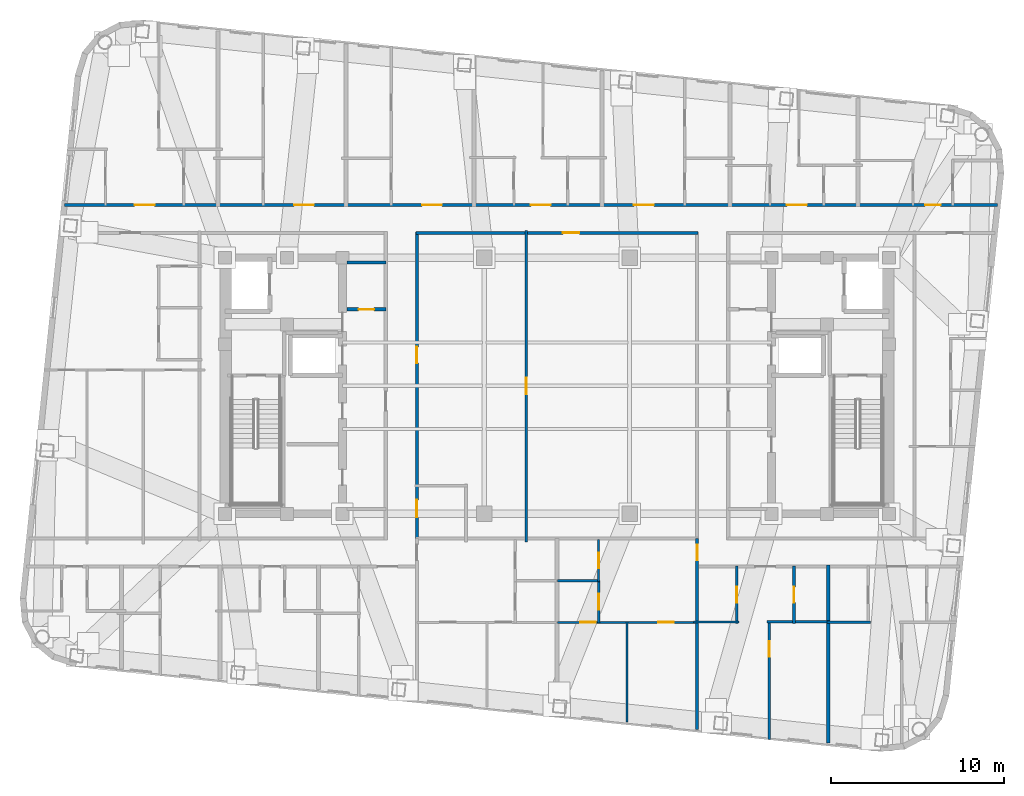
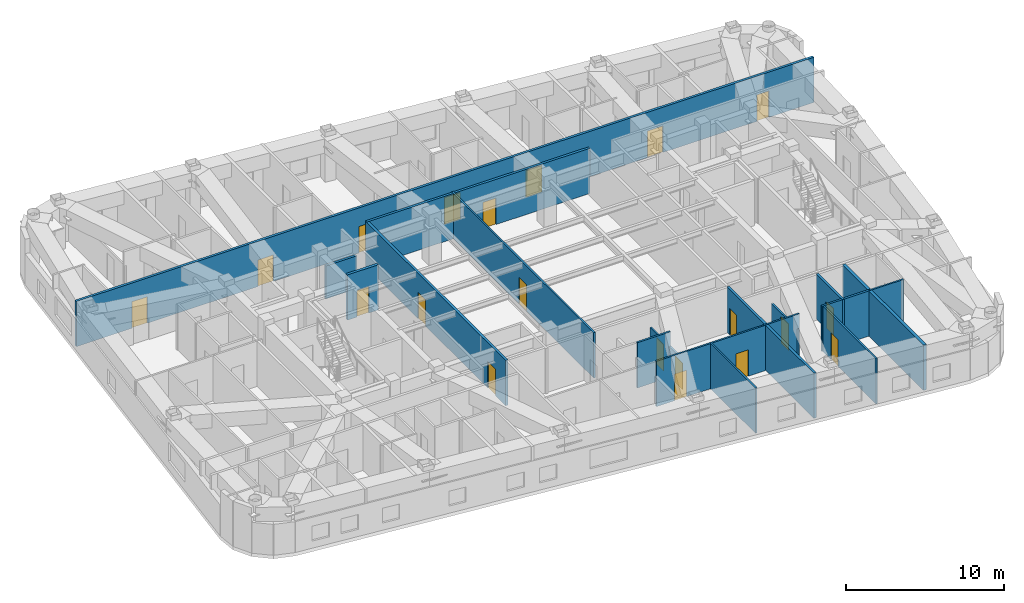
# One storey, part 6 of 12: 20 doors, 19 walls, 20 openings.
"""IFC4 building model written with IfcOpenShell, lengths in metres."""

from ifc_helpers import new_model, si_unit, direction, frame, frame_2d, origin, place, context, subcontext, project, spatial, rectangle, extrude, material, layer, layer_set, type_object, element, fill, save


model = new_model("IFC4")

# Units and contexts
model_context = context("Model", 3, precision=1e-05, world=origin(), true_north=direction((0.0, 1.0)))
body_context = subcontext(model_context, "Body", "Model", "MODEL_VIEW")
ifc_project = project(units=[si_unit("LENGTHUNIT", "METRE"), si_unit("AREAUNIT", "SQUARE_METRE"), si_unit("VOLUMEUNIT", "CUBIC_METRE"), si_unit("PLANEANGLEUNIT", "RADIAN"), si_unit("MASSUNIT", "GRAM", prefix="KILO")], contexts=[model_context])

# Site, building, storey
site_placement = place(None, origin())
site = spatial("IfcSite", under=ifc_project, at=site_placement, CompositionType="ELEMENT")
building_placement = place(site_placement, origin())
building = spatial("IfcBuilding", under=site, at=building_placement, Name="Voryun Gate Residences", CompositionType="ELEMENT")
storey_placement = place(building_placement, frame((0.0, 0.0, 306.800048828125)))
storey = spatial("IfcBuildingStorey", under=building, at=storey_placement, Name="L76", CompositionType="ELEMENT", Elevation=306.800048828125)

# Wall
ifc_material_1 = material(Name="Gypsum acoustic fireboard")
ifc_layer_1 = layer(ifc_material_1, 0.179931640625, Name="W_CORR_RATED_180")
ifc_layer_set_1 = layer_set([ifc_layer_1], Name="Gypsum acoustic fireboard")
wall_type_1 = type_object("IfcWallType", Name="W_CORR_RATED_180", PredefinedType="PARTITIONING", material=ifc_layer_set_1)
wall_1_placement = place(storey_placement, frame((-12.14990234375, 7.1201171875, 0.0), z_axis=(0.0, 0.0, 1.0), x_axis=(1.0, 0.0, 0.0)))
element("IfcWall", 1, at=wall_1_placement, inside=storey, type_object=wall_type_1, Name="Partition wall WP-L76-PLBN-W", PredefinedType="PARTITIONING", context=body_context, shape_type="SweptSolid", body=[
    extrude(rectangle(XDim=2.27001953125, YDim=0.179931640625, at=frame_2d((1.135009765625, 0.0))), origin(), (0.0, 0.0, 1.0), 2.5400390625),
])

# Wall, opening, door
wall_2_placement = place(storey_placement, frame((-8.14990234375, 8.840087890625, 0.0), z_axis=(0.0, 0.0, 1.0), x_axis=(1.0, 0.0, 0.0)))
wall_2 = element("IfcWall", 2, at=wall_2_placement, inside=storey, type_object=wall_type_1, Name="Partition wall WP-L76-Z3N", PredefinedType="PARTITIONING", context=body_context, shape_type="SweptSolid", body=[
    extrude(rectangle(XDim=16.2998046875, YDim=0.179931640625, at=frame_2d((8.14990234375, 0.0))), origin(), (0.0, 0.0, 1.0), 3.5),
])
opening_1_placement = place(wall_2_placement, frame((8.489990234375, 0.0, 0.0)))
opening_1 = element("IfcOpeningElement", 3, at=opening_1_placement, cuts=wall_2, Name="Opening D-INT-1", PredefinedType="OPENING", context=body_context, shape_type="SweptSolid", body=[
    extrude(rectangle(XDim=0.949951171875, YDim=2.050048828125, at=frame_2d((0.47509765625, 1.02490234375))), frame((0.0, 0.099853515625, 0.0), z_axis=(0.0, -1.0, 0.0), x_axis=(1.0, 0.0, 0.0)), (0.0, 0.0, 1.0), 0.199951171875),
])
ifc_material_2 = material(Name="Architectural oak veneer")
door_type_1 = type_object("IfcDoorType", Name="DR_INT_ROOM_950", OperationType="NOTDEFINED", PredefinedType="DOOR", material=ifc_material_2)
door_1_placement = place(opening_1_placement, origin())
door_1 = element("IfcDoor", 4, at=door_1_placement, inside=storey, type_object=door_type_1, Name="Door DR-L76-CMIDZ3N", OperationType="SINGLE_SWING_LEFT", OverallHeight=2.050048828125, OverallWidth=0.949951171875, PredefinedType="DOOR", context=body_context, shape_type="SweptSolid", body=[
    extrude(rectangle(XDim=0.949951171875, YDim=2.050048828125, at=frame_2d((0.47509765625, 1.02490234375))), frame((0.0, 0.02490234375, 0.0), z_axis=(0.0, -1.0, 0.0), x_axis=(1.0, 0.0, 0.0)), (0.0, 0.0, 1.0), 0.050048828125),
])
fill(opening_1, door_1)

# Wall, openings, doors
wall_3_placement = place(storey_placement, frame((-8.10009765625, -8.8798828125, 0.0), z_axis=(0.0, 0.0, 1.0), x_axis=(0.0, 1.0, 0.0)))
wall_3 = element("IfcWall", 5, at=wall_3_placement, inside=storey, type_object=wall_type_1, Name="Partition wall WP-L76-Z3W", PredefinedType="PARTITIONING", context=body_context, shape_type="SweptSolid", body=[
    extrude(rectangle(XDim=17.759765625, YDim=0.179931640625, at=frame_2d((8.8798828125, 0.0))), origin(), (0.0, 0.0, 1.0), 3.5),
])
opening_2_placement = place(wall_3_placement, frame((1.27587890625, 0.0, 0.0)))
opening_2 = element("IfcOpeningElement", 6, at=opening_2_placement, cuts=wall_3, Name="Opening D-AWC-1", PredefinedType="OPENING", context=body_context, shape_type="SweptSolid", body=[
    extrude(rectangle(XDim=1.0, YDim=2.050048828125, at=frame_2d((0.5, 1.02490234375))), frame((0.0, 0.099853515625, 0.0), z_axis=(0.0, -1.0, 0.0), x_axis=(1.0, 0.0, 0.0)), (0.0, 0.0, 1.0), 0.199951171875),
])
opening_3_placement = place(wall_3_placement, frame((10.180908203125, 0.0, 0.0)))
opening_3 = element("IfcOpeningElement", 7, at=opening_3_placement, cuts=wall_3, Name="Opening D-INT-1", PredefinedType="OPENING", context=body_context, shape_type="SweptSolid", body=[
    extrude(rectangle(XDim=0.949951171875, YDim=2.050048828125, at=frame_2d((0.47509765625, 1.02490234375))), frame((0.0, 0.099853515625, 0.0), z_axis=(0.0, -1.0, 0.0), x_axis=(1.0, 0.0, 0.0)), (0.0, 0.0, 1.0), 0.199951171875),
])
ifc_material_3 = material(Name="Architectural oak veneer")
door_type_2 = type_object("IfcDoorType", Name="DR_ACC_WC_1000", OperationType="NOTDEFINED", PredefinedType="DOOR", material=ifc_material_3)
door_2_placement = place(opening_2_placement, origin())
door_2 = element("IfcDoor", 8, at=door_2_placement, inside=storey, type_object=door_type_2, Name="Door DR-L76-CMWC-D", OperationType="SINGLE_SWING_LEFT", OverallHeight=2.050048828125, OverallWidth=1.0, PredefinedType="DOOR", context=body_context, shape_type="SweptSolid", body=[
    extrude(rectangle(XDim=1.0, YDim=2.050048828125, at=frame_2d((0.5, 1.02490234375))), frame((0.0, 0.02490234375, 0.0), z_axis=(0.0, -1.0, 0.0), x_axis=(1.0, 0.0, 0.0)), (0.0, 0.0, 1.0), 0.050048828125),
])
fill(opening_2, door_2)
door_3_placement = place(opening_3_placement, origin())
door_3 = element("IfcDoor", 9, at=door_3_placement, inside=storey, type_object=door_type_1, Name="Door DR-L76-CMIDZ3W", OperationType="SINGLE_SWING_RIGHT", OverallHeight=2.050048828125, OverallWidth=0.949951171875, PredefinedType="DOOR", context=body_context, shape_type="SweptSolid", body=[
    extrude(rectangle(XDim=0.949951171875, YDim=2.050048828125, at=frame_2d((0.47509765625, 1.02490234375))), frame((0.0, 0.02490234375, 0.0), z_axis=(0.0, -1.0, 0.0), x_axis=(1.0, 0.0, 0.0)), (0.0, 0.0, 1.0), 0.050048828125),
])
fill(opening_3, door_3)

wall_4_placement = place(storey_placement, frame((-28.4794921875, 10.449951171875, 0.0), z_axis=(0.0, 0.0, 1.0), x_axis=(1.0, 0.0, 0.0)))
wall_4 = element("IfcWall", 10, at=wall_4_placement, inside=storey, type_object=wall_type_1, Name="Partition wall WP-L76-NCORR", PredefinedType="PARTITIONING", context=body_context, shape_type="SweptSolid", body=[
    extrude(rectangle(XDim=53.95556640625, YDim=0.179931640625, at=frame_2d((26.977783203125, 0.0))), origin(), (0.0, 0.0, 1.0), 3.5),
])
opening_4_placement = place(wall_4_placement, frame((4.065185546875, 0.0, 0.0)))
opening_4 = element("IfcOpeningElement", 11, at=opening_4_placement, cuts=wall_4, Name="Opening D-UNIT-1", PredefinedType="OPENING", context=body_context, shape_type="SweptSolid", body=[
    extrude(rectangle(XDim=1.14990234375, YDim=2.050048828125, at=frame_2d((0.574951171875, 1.02490234375))), frame((0.0, 0.099853515625, 0.0), z_axis=(0.0, -1.0, 0.0), x_axis=(1.0, 0.0, 0.0)), (0.0, 0.0, 1.0), 0.199951171875),
])
opening_5_placement = place(wall_4_placement, frame((13.28076171875, 0.0, 0.0)))
opening_5 = element("IfcOpeningElement", 12, at=opening_5_placement, cuts=wall_4, Name="Opening D-UNIT-1", PredefinedType="OPENING", context=body_context, shape_type="SweptSolid", body=[
    extrude(rectangle(XDim=1.14990234375, YDim=2.050048828125, at=frame_2d((0.574951171875, 1.02490234375))), frame((0.0, 0.099853515625, 0.0), z_axis=(0.0, -1.0, 0.0), x_axis=(1.0, 0.0, 0.0)), (0.0, 0.0, 1.0), 0.199951171875),
])
opening_6_placement = place(wall_4_placement, frame((20.677978515625, 0.0, 0.0)))
opening_6 = element("IfcOpeningElement", 13, at=opening_6_placement, cuts=wall_4, Name="Opening D-UNIT-1", PredefinedType="OPENING", context=body_context, shape_type="SweptSolid", body=[
    extrude(rectangle(XDim=1.14990234375, YDim=2.050048828125, at=frame_2d((0.574951171875, 1.02490234375))), frame((0.0, 0.099853515625, 0.0), z_axis=(0.0, -1.0, 0.0), x_axis=(1.0, 0.0, 0.0)), (0.0, 0.0, 1.0), 0.199951171875),
])
opening_7_placement = place(wall_4_placement, frame((26.96923828125, 0.0, 0.0)))
opening_7 = element("IfcOpeningElement", 14, at=opening_7_placement, cuts=wall_4, Name="Opening D-UNIT-1", PredefinedType="OPENING", context=body_context, shape_type="SweptSolid", body=[
    extrude(rectangle(XDim=1.14990234375, YDim=2.050048828125, at=frame_2d((0.574951171875, 1.02490234375))), frame((0.0, 0.099853515625, 0.0), z_axis=(0.0, -1.0, 0.0), x_axis=(1.0, 0.0, 0.0)), (0.0, 0.0, 1.0), 0.199951171875),
])
opening_8_placement = place(wall_4_placement, frame((32.931396484375, 0.0, 0.0)))
opening_8 = element("IfcOpeningElement", 15, at=opening_8_placement, cuts=wall_4, Name="Opening D-UNIT-1", PredefinedType="OPENING", context=body_context, shape_type="SweptSolid", body=[
    extrude(rectangle(XDim=1.14990234375, YDim=2.050048828125, at=frame_2d((0.574951171875, 1.02490234375))), frame((0.0, 0.099853515625, 0.0), z_axis=(0.0, -1.0, 0.0), x_axis=(1.0, 0.0, 0.0)), (0.0, 0.0, 1.0), 0.199951171875),
])
opening_9_placement = place(wall_4_placement, frame((41.769287109375, 0.0, 0.0)))
opening_9 = element("IfcOpeningElement", 16, at=opening_9_placement, cuts=wall_4, Name="Opening D-UNIT-1", PredefinedType="OPENING", context=body_context, shape_type="SweptSolid", body=[
    extrude(rectangle(XDim=1.14990234375, YDim=2.050048828125, at=frame_2d((0.574951171875, 1.02490234375))), frame((0.0, 0.099853515625, 0.0), z_axis=(0.0, -1.0, 0.0), x_axis=(1.0, 0.0, 0.0)), (0.0, 0.0, 1.0), 0.199951171875),
])
opening_10_placement = place(wall_4_placement, frame((49.760986328125, 0.0, 0.0)))
opening_10 = element("IfcOpeningElement", 17, at=opening_10_placement, cuts=wall_4, Name="Opening D-INT-2", PredefinedType="OPENING", context=body_context, shape_type="SweptSolid", body=[
    extrude(rectangle(XDim=0.89990234375, YDim=2.050048828125, at=frame_2d((0.449951171875, 1.02490234375))), frame((0.0, 0.099853515625, 0.0), z_axis=(0.0, -1.0, 0.0), x_axis=(1.0, 0.0, 0.0)), (0.0, 0.0, 1.0), 0.199951171875),
])
ifc_material_4 = material(Name="Architectural oak veneer")
door_type_3 = type_object("IfcDoorType", Name="DR_INT_BATH_900", OperationType="NOTDEFINED", PredefinedType="DOOR", material=ifc_material_4)
door_4_placement = place(opening_10_placement, origin())
door_4 = element("IfcDoor", 18, at=door_4_placement, inside=storey, type_object=door_type_3, Name="Door DR-L76-NENT-7", OperationType="SINGLE_SWING_LEFT", OverallHeight=2.050048828125, OverallWidth=0.89990234375, PredefinedType="DOOR", context=body_context, shape_type="SweptSolid", body=[
    extrude(rectangle(XDim=0.89990234375, YDim=2.050048828125, at=frame_2d((0.449951171875, 1.02490234375))), frame((0.0, 0.02490234375, 0.0), z_axis=(0.0, -1.0, 0.0), x_axis=(1.0, 0.0, 0.0)), (0.0, 0.0, 1.0), 0.050048828125),
])
fill(opening_10, door_4)
ifc_material_5 = material(Name="Armoured timber-clad fire door", Category="wood")
door_type_4 = type_object("IfcDoorType", Name="DR_UNIT_ENTRY_1150", OperationType="NOTDEFINED", PredefinedType="DOOR", material=ifc_material_5)
door_5_placement = place(opening_4_placement, origin())
door_5 = element("IfcDoor", 19, at=door_5_placement, inside=storey, type_object=door_type_4, Name="Door DR-L76-NENT-1", OperationType="SINGLE_SWING_LEFT", OverallHeight=2.050048828125, OverallWidth=1.14990234375, PredefinedType="DOOR", context=body_context, shape_type="SweptSolid", body=[
    extrude(rectangle(XDim=1.14990234375, YDim=2.050048828125, at=frame_2d((0.574951171875, 1.02490234375))), frame((0.0, 0.02490234375, 0.0), z_axis=(0.0, -1.0, 0.0), x_axis=(1.0, 0.0, 0.0)), (0.0, 0.0, 1.0), 0.050048828125),
])
fill(opening_4, door_5)
door_6_placement = place(opening_5_placement, origin())
door_6 = element("IfcDoor", 20, at=door_6_placement, inside=storey, type_object=door_type_4, Name="Door DR-L76-NENT-2", OperationType="SINGLE_SWING_RIGHT", OverallHeight=2.050048828125, OverallWidth=1.14990234375, PredefinedType="DOOR", context=body_context, shape_type="SweptSolid", body=[
    extrude(rectangle(XDim=1.14990234375, YDim=2.050048828125, at=frame_2d((0.574951171875, 1.02490234375))), frame((0.0, 0.02490234375, 0.0), z_axis=(0.0, -1.0, 0.0), x_axis=(1.0, 0.0, 0.0)), (0.0, 0.0, 1.0), 0.050048828125),
])
fill(opening_5, door_6)
door_7_placement = place(opening_6_placement, origin())
door_7 = element("IfcDoor", 21, at=door_7_placement, inside=storey, type_object=door_type_4, Name="Door DR-L76-NENT-3", OperationType="SINGLE_SWING_LEFT", OverallHeight=2.050048828125, OverallWidth=1.14990234375, PredefinedType="DOOR", context=body_context, shape_type="SweptSolid", body=[
    extrude(rectangle(XDim=1.14990234375, YDim=2.050048828125, at=frame_2d((0.574951171875, 1.02490234375))), frame((0.0, 0.02490234375, 0.0), z_axis=(0.0, -1.0, 0.0), x_axis=(1.0, 0.0, 0.0)), (0.0, 0.0, 1.0), 0.050048828125),
])
fill(opening_6, door_7)
door_8_placement = place(opening_7_placement, origin())
door_8 = element("IfcDoor", 22, at=door_8_placement, inside=storey, type_object=door_type_4, Name="Door DR-L76-NENT-4", OperationType="SINGLE_SWING_RIGHT", OverallHeight=2.050048828125, OverallWidth=1.14990234375, PredefinedType="DOOR", context=body_context, shape_type="SweptSolid", body=[
    extrude(rectangle(XDim=1.14990234375, YDim=2.050048828125, at=frame_2d((0.574951171875, 1.02490234375))), frame((0.0, 0.02490234375, 0.0), z_axis=(0.0, -1.0, 0.0), x_axis=(1.0, 0.0, 0.0)), (0.0, 0.0, 1.0), 0.050048828125),
])
fill(opening_7, door_8)
door_9_placement = place(opening_8_placement, origin())
door_9 = element("IfcDoor", 23, at=door_9_placement, inside=storey, type_object=door_type_4, Name="Door DR-L76-NENT-5", OperationType="SINGLE_SWING_LEFT", OverallHeight=2.050048828125, OverallWidth=1.14990234375, PredefinedType="DOOR", context=body_context, shape_type="SweptSolid", body=[
    extrude(rectangle(XDim=1.14990234375, YDim=2.050048828125, at=frame_2d((0.574951171875, 1.02490234375))), frame((0.0, 0.02490234375, 0.0), z_axis=(0.0, -1.0, 0.0), x_axis=(1.0, 0.0, 0.0)), (0.0, 0.0, 1.0), 0.050048828125),
])
fill(opening_8, door_9)
door_10_placement = place(opening_9_placement, origin())
door_10 = element("IfcDoor", 24, at=door_10_placement, inside=storey, type_object=door_type_4, Name="Door DR-L76-NENT-6", OperationType="SINGLE_SWING_RIGHT", OverallHeight=2.050048828125, OverallWidth=1.14990234375, PredefinedType="DOOR", context=body_context, shape_type="SweptSolid", body=[
    extrude(rectangle(XDim=1.14990234375, YDim=2.050048828125, at=frame_2d((0.574951171875, 1.02490234375))), frame((0.0, 0.02490234375, 0.0), z_axis=(0.0, -1.0, 0.0), x_axis=(1.0, 0.0, 0.0)), (0.0, 0.0, 1.0), 0.050048828125),
])
fill(opening_9, door_10)

# Wall, opening, door
wall_5_placement = place(storey_placement, frame((8.10009765625, -19.857177734375, 0.0), z_axis=(0.0, 0.0, 1.0), x_axis=(0.0, 1.0, 0.0)))
wall_5 = element("IfcWall", 25, at=wall_5_placement, inside=storey, type_object=wall_type_1, Name="Partition wall WP-L76-SZV-2", PredefinedType="PARTITIONING", context=body_context, shape_type="SweptSolid", body=[
    extrude(rectangle(XDim=11.01708984375, YDim=0.179931640625, at=frame_2d((5.508544921875, 0.0))), origin(), (0.0, 0.0, 1.0), 3.5),
])
opening_11_placement = place(wall_5_placement, frame((9.767333984375, 0.0, 0.0)))
opening_11 = element("IfcOpeningElement", 26, at=opening_11_placement, cuts=wall_5, Name="Opening D-INT-2", PredefinedType="OPENING", context=body_context, shape_type="SweptSolid", body=[
    extrude(rectangle(XDim=0.89990234375, YDim=2.050048828125, at=frame_2d((0.449951171875, 1.02490234375))), frame((0.0, 0.099853515625, 0.0), z_axis=(0.0, -1.0, 0.0), x_axis=(1.0, 0.0, 0.0)), (0.0, 0.0, 1.0), 0.199951171875),
])
door_11_placement = place(opening_11_placement, origin())
door_11 = element("IfcDoor", 27, at=door_11_placement, inside=storey, type_object=door_type_3, Name="Door DR-L76-SZENT-2", OperationType="SINGLE_SWING_RIGHT", OverallHeight=2.050048828125, OverallWidth=0.89990234375, PredefinedType="DOOR", context=body_context, shape_type="SweptSolid", body=[
    extrude(rectangle(XDim=0.89990234375, YDim=2.050048828125, at=frame_2d((0.449951171875, 1.02490234375))), frame((0.0, 0.02490234375, 0.0), z_axis=(0.0, -1.0, 0.0), x_axis=(1.0, 0.0, 0.0)), (0.0, 0.0, 1.0), 0.050048828125),
])
fill(opening_11, door_11)

ifc_material_6 = material(Name="Concrete C40/50", Category="concrete")
ifc_layer_2 = layer(ifc_material_6, 0.199951171875, Name="W_FF_LOBBY_200")
ifc_layer_set_2 = layer_set([ifc_layer_2], Name="Concrete C40/50")
wall_type_2 = type_object("IfcWallType", Name="W_FF_LOBBY_200", PredefinedType="PARTITIONING", material=ifc_layer_set_2)
wall_6_placement = place(storey_placement, frame((-12.14990234375, 4.409912109375, 0.0), z_axis=(0.0, 0.0, 1.0), x_axis=(1.0, 0.0, 0.0)))
wall_6 = element("IfcWall", 28, at=wall_6_placement, inside=storey, type_object=wall_type_2, Name="Partition wall WP-L76-CSFLKS-W", PredefinedType="PARTITIONING", context=body_context, shape_type="SweptSolid", body=[
    extrude(rectangle(XDim=2.27001953125, YDim=0.199951171875, at=frame_2d((1.135009765625, 0.0))), origin(), (0.0, 0.0, 1.0), 3.5),
])
opening_12_placement = place(wall_6_placement, frame((0.68505859375, 0.0, 0.0)))
opening_12 = element("IfcOpeningElement", 29, at=opening_12_placement, cuts=wall_6, Name="Opening D-FD60-4", PredefinedType="OPENING", context=body_context, shape_type="SweptSolid", body=[
    extrude(rectangle(XDim=0.89990234375, YDim=2.050048828125, at=frame_2d((0.449951171875, 1.02490234375))), frame((0.0, 0.110107421875, 0.0), z_axis=(0.0, -1.0, 0.0), x_axis=(1.0, 0.0, 0.0)), (0.0, 0.0, 1.0), 0.219970703125),
])
ifc_material_7 = material(Name="Painted steel fire door", Category="steel")
door_type_5 = type_object("IfcDoorType", Name="DR_FD60_RISER_900", OperationType="NOTDEFINED", PredefinedType="DOOR", material=ifc_material_7)
door_12_placement = place(opening_12_placement, origin())
door_12 = element("IfcDoor", 30, at=door_12_placement, inside=storey, type_object=door_type_5, Name="Door DR-L76-CSFLK-W", OperationType="SINGLE_SWING_LEFT", OverallHeight=2.050048828125, OverallWidth=0.89990234375, PredefinedType="DOOR", context=body_context, shape_type="SweptSolid", body=[
    extrude(rectangle(XDim=0.89990234375, YDim=2.050048828125, at=frame_2d((0.449951171875, 1.02490234375))), frame((0.0, 0.02490234375, 0.0), z_axis=(0.0, -1.0, 0.0), x_axis=(1.0, 0.0, 0.0)), (0.0, 0.0, 1.0), 0.050048828125),
])
fill(opening_12, door_12)

# Wall
ifc_material_8 = material(Name="Concrete C40/50", Category="concrete")
ifc_layer_3 = layer(ifc_material_8, 0.219970703125, Name="W_PARTY_ACOUSTIC_220")
ifc_layer_set_3 = layer_set([ifc_layer_3], Name="Concrete C40/50")
wall_type_3 = type_object("IfcWallType", Name="W_PARTY_ACOUSTIC_220", PredefinedType="PARTITIONING", material=ifc_layer_set_3)
wall_7_placement = place(storey_placement, frame((15.681884765625, -20.654052734375, 0.0), z_axis=(0.0, 0.0, 1.0), x_axis=(0.0, 1.0, 0.0)))
element("IfcWall", 31, at=wall_7_placement, inside=storey, type_object=wall_type_3, Name="Partition wall WP-L76-SPTY-6", PredefinedType="PARTITIONING", context=body_context, shape_type="SweptSolid", body=[
    extrude(rectangle(XDim=10.283935546875, YDim=0.219970703125, at=frame_2d((5.14208984375, 0.0))), origin(), (0.0, 0.0, 1.0), 3.5),
])

# Wall, opening, door
ifc_material_9 = material(Name="Gypsum acoustic partition")
ifc_layer_4 = layer(ifc_material_9, 0.125, Name="W_UNIT_PART_125")
ifc_layer_set_4 = layer_set([ifc_layer_4], Name="Gypsum acoustic partition")
wall_type_4 = type_object("IfcWallType", Name="W_UNIT_PART_125", PredefinedType="PARTITIONING", material=ifc_layer_set_4)
wall_8_placement = place(storey_placement, frame((-1.77294921875, -9.02001953125, 0.0), z_axis=(0.0, 0.0, 1.0), x_axis=(0.0, 1.0, 0.0)))
wall_8 = element("IfcWall", 32, at=wall_8_placement, inside=storey, type_object=wall_type_4, Name="Partition wall WP-L76-MIDX-0", PredefinedType="PARTITIONING", context=body_context, shape_type="SweptSolid", body=[
    extrude(rectangle(XDim=17.989990234375, YDim=0.125, at=frame_2d((8.9951171875, 0.0))), origin(), (0.0, 0.0, 1.0), 3.5),
])
opening_13_placement = place(wall_8_placement, frame((8.52001953125, 0.0, 0.0)))
opening_13 = element("IfcOpeningElement", 33, at=opening_13_placement, cuts=wall_8, Name="Opening D-INT-1", PredefinedType="OPENING", context=body_context, shape_type="SweptSolid", body=[
    extrude(rectangle(XDim=0.949951171875, YDim=2.050048828125, at=frame_2d((0.47509765625, 1.02490234375))), frame((0.0, 0.072509765625, 0.0), z_axis=(0.0, -1.0, 0.0), x_axis=(1.0, 0.0, 0.0)), (0.0, 0.0, 1.0), 0.14501953125),
])
door_13_placement = place(opening_13_placement, origin())
door_13 = element("IfcDoor", 34, at=door_13_placement, inside=storey, type_object=door_type_1, Name="Door DR-L76-MIDX-0", OperationType="SINGLE_SWING_LEFT", OverallHeight=2.050048828125, OverallWidth=0.949951171875, PredefinedType="DOOR", context=body_context, shape_type="SweptSolid", body=[
    extrude(rectangle(XDim=0.949951171875, YDim=2.050048828125, at=frame_2d((0.47509765625, 1.02490234375))), frame((0.0, 0.02490234375, 0.0), z_axis=(0.0, -1.0, 0.0), x_axis=(1.0, 0.0, 0.0)), (0.0, 0.0, 1.0), 0.050048828125),
])
fill(opening_13, door_13)

wall_9_placement = place(storey_placement, frame((12.27197265625, -20.446533203125, 0.0), z_axis=(0.0, 0.0, 1.0), x_axis=(0.0, 1.0, 0.0)))
wall_9 = element("IfcWall", 35, at=wall_9_placement, inside=storey, type_object=wall_type_4, Name="Partition wall WP-L76-S6-OVR", PredefinedType="PARTITIONING", context=body_context, shape_type="SweptSolid", body=[
    extrude(rectangle(XDim=6.87353515625, YDim=0.125, at=frame_2d((3.436767578125, 0.0))), origin(), (0.0, 0.0, 1.0), 3.5),
])
opening_14_placement = place(wall_9_placement, frame((4.77392578125, 0.0, 0.0)))
opening_14 = element("IfcOpeningElement", 36, at=opening_14_placement, cuts=wall_9, Name="Opening D-INT-2", PredefinedType="OPENING", context=body_context, shape_type="SweptSolid", body=[
    extrude(rectangle(XDim=0.89990234375, YDim=2.050048828125, at=frame_2d((0.449951171875, 1.02490234375))), frame((0.0, 0.072509765625, 0.0), z_axis=(0.0, -1.0, 0.0), x_axis=(1.0, 0.0, 0.0)), (0.0, 0.0, 1.0), 0.14501953125),
])
door_14_placement = place(opening_14_placement, origin())
door_14 = element("IfcDoor", 37, at=door_14_placement, inside=storey, type_object=door_type_3, Name="Door DR-L76-S6-DMB", OperationType="SINGLE_SWING_RIGHT", OverallHeight=2.050048828125, OverallWidth=0.89990234375, PredefinedType="DOOR", context=body_context, shape_type="SweptSolid", body=[
    extrude(rectangle(XDim=0.89990234375, YDim=2.050048828125, at=frame_2d((0.449951171875, 1.02490234375))), frame((0.0, 0.02490234375, 0.0), z_axis=(0.0, -1.0, 0.0), x_axis=(1.0, 0.0, 0.0)), (0.0, 0.0, 1.0), 0.050048828125),
])
fill(opening_14, door_14)

wall_10_placement = place(storey_placement, frame((10.389892578125, -13.73291015625, 0.0), z_axis=(0.0, 0.0, 1.0), x_axis=(0.0, 1.0, 0.0)))
wall_10 = element("IfcWall", 38, at=wall_10_placement, inside=storey, type_object=wall_type_4, Name="Partition wall WP-L76-S6-IVK", PredefinedType="PARTITIONING", context=body_context, shape_type="SweptSolid", body=[
    extrude(rectangle(XDim=3.302978515625, YDim=0.125, at=frame_2d((1.6513671875, 0.0))), origin(), (0.0, 0.0, 1.0), 2.389892578125),
])
opening_15_placement = place(wall_10_placement, frame((1.176513671875, 0.0, 0.0)))
opening_15 = element("IfcOpeningElement", 39, at=opening_15_placement, cuts=wall_10, Name="Opening D-INT-1", PredefinedType="OPENING", context=body_context, shape_type="SweptSolid", body=[
    extrude(rectangle(XDim=0.949951171875, YDim=2.050048828125, at=frame_2d((0.47509765625, 1.02490234375))), frame((0.0, 0.072509765625, 0.0), z_axis=(0.0, -1.0, 0.0), x_axis=(1.0, 0.0, 0.0)), (0.0, 0.0, 1.0), 0.14501953125),
])
door_15_placement = place(opening_15_placement, origin())
door_15 = element("IfcDoor", 40, at=door_15_placement, inside=storey, type_object=door_type_1, Name="Door DR-L76-S6-DK", OperationType="SINGLE_SWING_LEFT", OverallHeight=2.050048828125, OverallWidth=0.949951171875, PredefinedType="DOOR", context=body_context, shape_type="SweptSolid", body=[
    extrude(rectangle(XDim=0.949951171875, YDim=2.050048828125, at=frame_2d((0.47509765625, 1.02490234375))), frame((0.0, 0.02490234375, 0.0), z_axis=(0.0, -1.0, 0.0), x_axis=(1.0, 0.0, 0.0)), (0.0, 0.0, 1.0), 0.050048828125),
])
fill(opening_15, door_15)

# Walls
wall_11_placement = place(storey_placement, frame((7.887451171875, -13.653076171875, 0.0), z_axis=(0.0, 0.0, 1.0), x_axis=(1.0, 0.0, 0.0)))
element("IfcWall", 41, at=wall_11_placement, inside=storey, type_object=wall_type_4, Name="Partition wall WP-L76-S6-HZK", PredefinedType="PARTITIONING", context=body_context, shape_type="SweptSolid", body=[
    extrude(rectangle(XDim=2.62255859375, YDim=0.125, at=frame_2d((1.311279296875, 0.0))), origin(), (0.0, 0.0, 1.0), 3.5),
])
wall_12_placement = place(storey_placement, frame((15.60693359375, -13.669921875, 0.0), z_axis=(0.0, 0.0, 1.0), x_axis=(1.0, 0.0, 0.0)))
element("IfcWall", 42, at=wall_12_placement, inside=storey, type_object=wall_type_4, Name="Partition wall WP-L76-S7-HZK", PredefinedType="PARTITIONING", context=body_context, shape_type="SweptSolid", body=[
    extrude(rectangle(XDim=2.505126953125, YDim=0.125, at=frame_2d((1.25244140625, 0.0))), origin(), (0.0, 0.0, 1.0), 3.5),
])

# Wall, openings, doors
wall_13_placement = place(storey_placement, frame((0.02001953125, -13.679931640625, 0.0), z_axis=(0.0, 0.0, 1.0), x_axis=(1.0, 0.0, 0.0)))
wall_13 = element("IfcWall", 43, at=wall_13_placement, inside=storey, type_object=wall_type_4, Name="Partition wall WP-L76-SC2-HZ", PredefinedType="PARTITIONING", context=body_context, shape_type="SweptSolid", body=[
    extrude(rectangle(XDim=7.992431640625, YDim=0.125, at=frame_2d((3.99609375, 0.0))), origin(), (0.0, 0.0, 1.0), 3.5),
])
opening_16_placement = place(wall_13_placement, frame((1.3232421875, 0.0, 0.0)))
opening_16 = element("IfcOpeningElement", 44, at=opening_16_placement, cuts=wall_13, Name="Opening D-INT-2", PredefinedType="OPENING", context=body_context, shape_type="SweptSolid", body=[
    extrude(rectangle(XDim=0.89990234375, YDim=2.050048828125, at=frame_2d((0.449951171875, 1.02490234375))), frame((0.0, 0.072509765625, 0.0), z_axis=(0.0, -1.0, 0.0), x_axis=(1.0, 0.0, 0.0)), (0.0, 0.0, 1.0), 0.14501953125),
])
opening_17_placement = place(wall_13_placement, frame((5.8369140625, 0.0, 0.0)))
opening_17 = element("IfcOpeningElement", 45, at=opening_17_placement, cuts=wall_13, Name="Opening D-INT-2", PredefinedType="OPENING", context=body_context, shape_type="SweptSolid", body=[
    extrude(rectangle(XDim=0.89990234375, YDim=2.050048828125, at=frame_2d((0.449951171875, 1.02490234375))), frame((0.0, 0.072509765625, 0.0), z_axis=(0.0, -1.0, 0.0), x_axis=(1.0, 0.0, 0.0)), (0.0, 0.0, 1.0), 0.14501953125),
])
door_16_placement = place(opening_16_placement, origin())
door_16 = element("IfcDoor", 46, at=door_16_placement, inside=storey, type_object=door_type_3, Name="Door DR-L76-SC2-DMB", OperationType="SINGLE_SWING_LEFT", OverallHeight=2.050048828125, OverallWidth=0.89990234375, PredefinedType="DOOR", context=body_context, shape_type="SweptSolid", body=[
    extrude(rectangle(XDim=0.89990234375, YDim=2.050048828125, at=frame_2d((0.449951171875, 1.02490234375))), frame((0.0, 0.02490234375, 0.0), z_axis=(0.0, -1.0, 0.0), x_axis=(1.0, 0.0, 0.0)), (0.0, 0.0, 1.0), 0.050048828125),
])
fill(opening_16, door_16)
door_17_placement = place(opening_17_placement, origin())
door_17 = element("IfcDoor", 47, at=door_17_placement, inside=storey, type_object=door_type_3, Name="Door DR-L76-SC2-DBD2", OperationType="SINGLE_SWING_RIGHT", OverallHeight=2.050048828125, OverallWidth=0.89990234375, PredefinedType="DOOR", context=body_context, shape_type="SweptSolid", body=[
    extrude(rectangle(XDim=0.89990234375, YDim=2.050048828125, at=frame_2d((0.449951171875, 1.02490234375))), frame((0.0, 0.02490234375, 0.0), z_axis=(0.0, -1.0, 0.0), x_axis=(1.0, 0.0, 0.0)), (0.0, 0.0, 1.0), 0.050048828125),
])
fill(opening_17, door_17)

# Wall, opening, door
wall_14_placement = place(storey_placement, frame((2.409912109375, -11.31005859375, 0.0), z_axis=(0.0, 0.0, 1.0), x_axis=(0.0, 1.0, 0.0)))
wall_14 = element("IfcWall", 48, at=wall_14_placement, inside=storey, type_object=wall_type_4, Name="Partition wall WP-L76-SC2-VK1", PredefinedType="PARTITIONING", context=body_context, shape_type="SweptSolid", body=[
    extrude(rectangle(XDim=2.41015625, YDim=0.125, at=frame_2d((1.205078125, 0.0))), origin(), (0.0, 0.0, 1.0), 2.389892578125),
])
opening_18_placement = place(wall_14_placement, frame((0.7548828125, 0.0, 0.0)))
opening_18 = element("IfcOpeningElement", 49, at=opening_18_placement, cuts=wall_14, Name="Opening D-INT-2", PredefinedType="OPENING", context=body_context, shape_type="SweptSolid", body=[
    extrude(rectangle(XDim=0.89990234375, YDim=2.050048828125, at=frame_2d((0.449951171875, 1.02490234375))), frame((0.0, 0.072509765625, 0.0), z_axis=(0.0, -1.0, 0.0), x_axis=(1.0, 0.0, 0.0)), (0.0, 0.0, 1.0), 0.14501953125),
])
door_18_placement = place(opening_18_placement, origin())
door_18 = element("IfcDoor", 50, at=door_18_placement, inside=storey, type_object=door_type_3, Name="Door DR-L76-SC2-DK", OperationType="SINGLE_SWING_LEFT", OverallHeight=2.050048828125, OverallWidth=0.89990234375, PredefinedType="DOOR", context=body_context, shape_type="SweptSolid", body=[
    extrude(rectangle(XDim=0.89990234375, YDim=2.050048828125, at=frame_2d((0.449951171875, 1.02490234375))), frame((0.0, 0.02490234375, 0.0), z_axis=(0.0, -1.0, 0.0), x_axis=(1.0, 0.0, 0.0)), (0.0, 0.0, 1.0), 0.050048828125),
])
fill(opening_18, door_18)

# Walls
wall_15_placement = place(storey_placement, frame((4.050048828125, -19.431640625, 0.0), z_axis=(0.0, 0.0, 1.0), x_axis=(0.0, 1.0, 0.0)))
element("IfcWall", 51, at=wall_15_placement, inside=storey, type_object=wall_type_4, Name="Partition wall WP-L76-SC2-VBD", PredefinedType="PARTITIONING", context=body_context, shape_type="SweptSolid", body=[
    extrude(rectangle(XDim=5.791748046875, YDim=0.125, at=frame_2d((2.89599609375, 0.0))), origin(), (0.0, 0.0, 1.0), 3.5),
])
ifc_material_10 = material(Name="Gypsum moisture-resistant partition")
ifc_layer_5 = layer(ifc_material_10, 0.14990234375, Name="W_WET_PLUMB_150")
ifc_layer_set_5 = layer_set([ifc_layer_5], Name="Gypsum moisture-resistant partition")
wall_type_5 = type_object("IfcWallType", Name="W_WET_PLUMB_150", PredefinedType="PLUMBINGWALL", material=ifc_layer_set_5)
wall_16_placement = place(storey_placement, frame((12.152099609375, -13.653076171875, 0.0), z_axis=(0.0, 0.0, 1.0), x_axis=(1.0, 0.0, 0.0)))
element("IfcWall", 52, at=wall_16_placement, inside=storey, type_object=wall_type_5, Name="Partition wall WP-L76-S6-HZB", PredefinedType="PLUMBINGWALL", context=body_context, shape_type="SweptSolid", body=[
    extrude(rectangle(XDim=3.60498046875, YDim=0.14990234375, at=frame_2d((1.802490234375, 0.0))), origin(), (0.0, 0.0, 1.0), 3.5),
])

# Wall, opening, door
wall_17_placement = place(storey_placement, frame((13.701904296875, -13.73291015625, 0.0), z_axis=(0.0, 0.0, 1.0), x_axis=(0.0, 1.0, 0.0)))
wall_17 = element("IfcWall", 53, at=wall_17_placement, inside=storey, type_object=wall_type_5, Name="Partition wall WP-L76-S6-IVB", PredefinedType="PLUMBINGWALL", context=body_context, shape_type="SweptSolid", body=[
    extrude(rectangle(XDim=3.302978515625, YDim=0.14990234375, at=frame_2d((1.6513671875, 0.0))), origin(), (0.0, 0.0, 1.0), 3.5),
])
opening_19_placement = place(wall_17_placement, frame((1.201416015625, 0.0, 0.0)))
opening_19 = element("IfcOpeningElement", 54, at=opening_19_placement, cuts=wall_17, Name="Opening D-INT-2", PredefinedType="OPENING", context=body_context, shape_type="SweptSolid", body=[
    extrude(rectangle(XDim=0.89990234375, YDim=2.050048828125, at=frame_2d((0.449951171875, 1.02490234375))), frame((0.0, 0.0849609375, 0.0), z_axis=(0.0, -1.0, 0.0), x_axis=(1.0, 0.0, 0.0)), (0.0, 0.0, 1.0), 0.169921875),
])
door_19_placement = place(opening_19_placement, origin())
door_19 = element("IfcDoor", 55, at=door_19_placement, inside=storey, type_object=door_type_3, Name="Door DR-L76-S6-DB", OperationType="SINGLE_SWING_RIGHT", OverallHeight=2.050048828125, OverallWidth=0.89990234375, PredefinedType="DOOR", context=body_context, shape_type="SweptSolid", body=[
    extrude(rectangle(XDim=0.89990234375, YDim=2.050048828125, at=frame_2d((0.449951171875, 1.02490234375))), frame((0.0, 0.02490234375, 0.0), z_axis=(0.0, -1.0, 0.0), x_axis=(1.0, 0.0, 0.0)), (0.0, 0.0, 1.0), 0.050048828125),
])
fill(opening_19, door_19)

wall_18_placement = place(storey_placement, frame((2.409912109375, -13.719970703125, 0.0), z_axis=(0.0, 0.0, 1.0), x_axis=(0.0, 1.0, 0.0)))
wall_18 = element("IfcWall", 56, at=wall_18_placement, inside=storey, type_object=wall_type_5, Name="Partition wall WP-L76-SC2-VK2", PredefinedType="PLUMBINGWALL", context=body_context, shape_type="SweptSolid", body=[
    extrude(rectangle(XDim=2.469970703125, YDim=0.14990234375, at=frame_2d((1.23486328125, 0.0))), origin(), (0.0, 0.0, 1.0), 2.389892578125),
])
opening_20_placement = place(wall_18_placement, frame((0.784912109375, 0.0, 0.0)))
opening_20 = element("IfcOpeningElement", 57, at=opening_20_placement, cuts=wall_18, Name="Opening D-INT-2", PredefinedType="OPENING", context=body_context, shape_type="SweptSolid", body=[
    extrude(rectangle(XDim=0.89990234375, YDim=2.050048828125, at=frame_2d((0.449951171875, 1.02490234375))), frame((0.0, 0.0849609375, 0.0), z_axis=(0.0, -1.0, 0.0), x_axis=(1.0, 0.0, 0.0)), (0.0, 0.0, 1.0), 0.169921875),
])
door_20_placement = place(opening_20_placement, origin())
door_20 = element("IfcDoor", 58, at=door_20_placement, inside=storey, type_object=door_type_3, Name="Door DR-L76-SC2-DB", OperationType="SINGLE_SWING_RIGHT", OverallHeight=2.050048828125, OverallWidth=0.89990234375, PredefinedType="DOOR", context=body_context, shape_type="SweptSolid", body=[
    extrude(rectangle(XDim=0.89990234375, YDim=2.050048828125, at=frame_2d((0.449951171875, 1.02490234375))), frame((0.0, 0.02490234375, 0.0), z_axis=(0.0, -1.0, 0.0), x_axis=(1.0, 0.0, 0.0)), (0.0, 0.0, 1.0), 0.050048828125),
])
fill(opening_20, door_20)

# Wall
wall_19_placement = place(storey_placement, frame((0.02001953125, -11.280029296875, 0.0), z_axis=(0.0, 0.0, 1.0), x_axis=(1.0, 0.0, 0.0)))
element("IfcWall", 59, at=wall_19_placement, inside=storey, type_object=wall_type_5, Name="Partition wall WP-L76-SC2-HKB", PredefinedType="PLUMBINGWALL", context=body_context, shape_type="SweptSolid", body=[
    extrude(rectangle(XDim=2.429931640625, YDim=0.14990234375, at=frame_2d((1.21484375, 0.0))), origin(), (0.0, 0.0, 1.0), 3.5),
])

save(model, "model.ifc")
